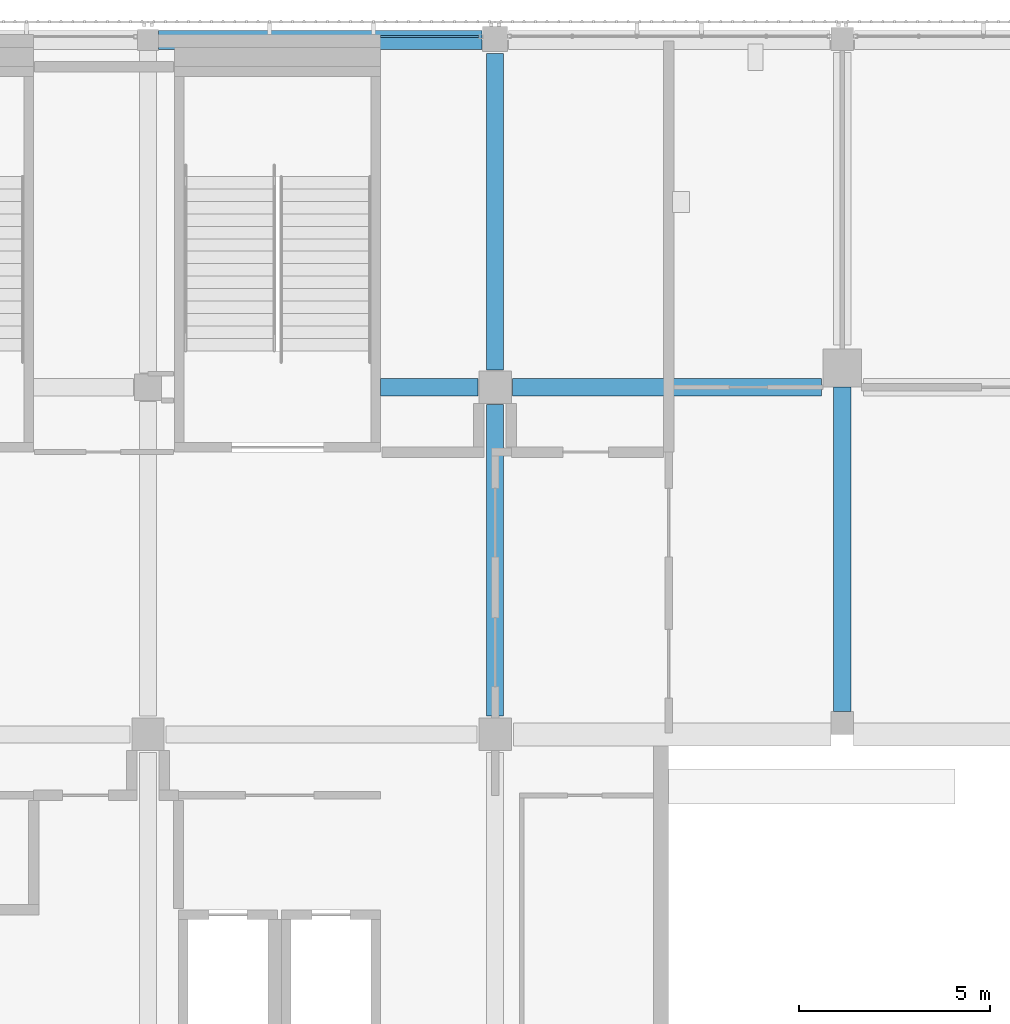
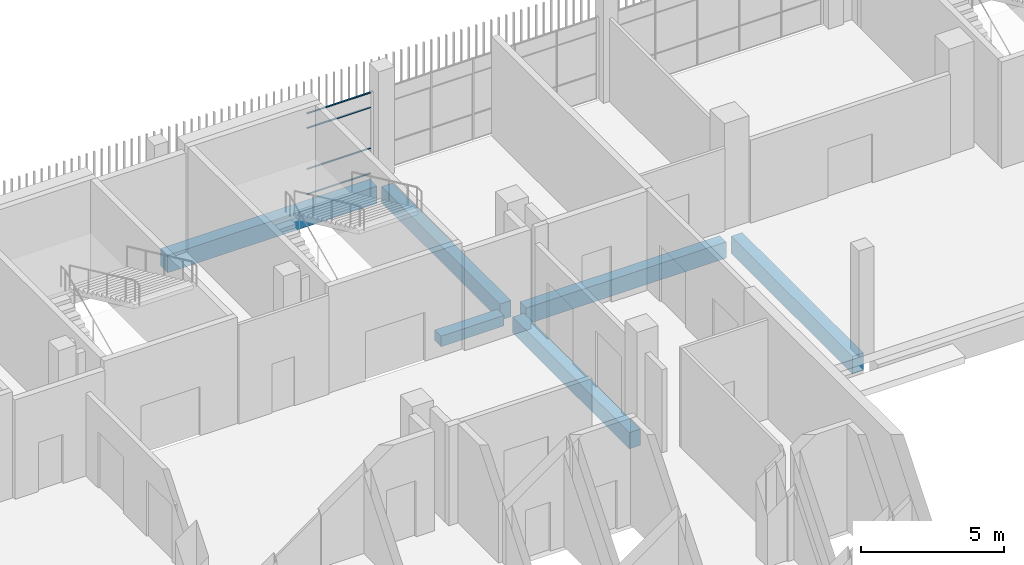
# One storey, part 29 of 126: 6 beams, 4 members, 1 element without a shape of its own.
"""IFC4 building model written with IfcOpenShell, lengths in metres."""

from ifc_helpers import new_model, si_unit, direction, frame, origin, origin_2d, place, context, subcontext, project, spatial, rectangle, hollow_rectangle, extrude, material, layer, layer_set, material_profile, profile_set, type_object, element, aggregate, save


model = new_model("IFC4")

# Units and contexts
model_context = context("Model", 3, precision=1e-05, world=origin(), true_north=direction((0.0, 1.0)))
body_context = subcontext(model_context, "Body", "Model", "MODEL_VIEW")
ifc_project = project(units=[si_unit("LENGTHUNIT", "METRE"), si_unit("AREAUNIT", "SQUARE_METRE"), si_unit("VOLUMEUNIT", "CUBIC_METRE"), si_unit("PLANEANGLEUNIT", "RADIAN"), si_unit("MASSUNIT", "GRAM", prefix="KILO")], contexts=[model_context])

# Site, building, storey
site_placement = place(None, origin())
site = spatial("IfcSite", under=ifc_project, at=site_placement, CompositionType="ELEMENT")
building_placement = place(site_placement, origin())
building = spatial("IfcBuilding", under=site, at=building_placement, Name="Shirokan Park Arena", CompositionType="ELEMENT")
storey_placement = place(building_placement, frame((0.0, 0.0, 6.3701171875)))
storey = spatial("IfcBuildingStorey", under=building, at=storey_placement, Name="L01", CompositionType="ELEMENT", Elevation=6.3701171875)

# Beams
ifc_material_1 = material(Name="Concrete C35", Category="concrete")
ifc_material_profile_1 = material_profile(ifc_material_1, rectangle(XDim=0.449951171875, YDim=0.699951171875, at=origin_2d()), Name="450x700")
ifc_profile_set_1 = profile_set([ifc_material_profile_1], Name="Concrete C35")
beam_type_1 = type_object("IfcBeamType", Name="RC girder 450x700", PredefinedType="BEAM", material=ifc_profile_set_1)
beam_1_placement = place(storey_placement, frame((36.85009765625, 100.10009765625, -0.7001953125), z_axis=(1.0, 0.0, 0.0), x_axis=(0.0, 1.0, 0.0)))
element("IfcBeam", 1, at=beam_1_placement, inside=storey, type_object=beam_type_1, Name="Girder 5M-6M L01", PredefinedType="BEAM", context=body_context, shape_type="SweptSolid", body=[
    extrude(rectangle(XDim=0.449951171875, YDim=0.699951171875, at=origin_2d()), origin(), (0.0, 0.0, 1.0), 8.099853515625),
])
beam_2_placement = place(storey_placement, frame((36.39990234375, 91.47509765625, -0.7001953125), z_axis=(0.0, 1.0, 0.0), x_axis=(-1.0, 0.0, 0.0)))
element("IfcBeam", 2, at=beam_2_placement, inside=storey, type_object=beam_type_1, Name="Girder 5L-5M L01", PredefinedType="BEAM", context=body_context, shape_type="SweptSolid", body=[
    extrude(rectangle(XDim=0.449951171875, YDim=0.699951171875, at=origin_2d()), origin(), (0.0, 0.0, 1.0), 8.1748046875),
])
beam_3_placement = place(storey_placement, frame((36.39990234375, 100.550048828125, -0.7001953125), z_axis=(0.0, 1.0, 0.0), x_axis=(-1.0, 0.0, 0.0)))
element("IfcBeam", 3, at=beam_3_placement, inside=storey, type_object=beam_type_1, Name="Girder 5M-5N L01", PredefinedType="BEAM", context=body_context, shape_type="SweptSolid", body=[
    extrude(rectangle(XDim=0.449951171875, YDim=0.699951171875, at=origin_2d()), origin(), (0.0, 0.0, 1.0), 8.2998046875),
])
ifc_material_profile_2 = material_profile(ifc_material_1, rectangle(XDim=0.449951171875, YDim=0.75, at=origin_2d()), Name="450x750")
ifc_profile_set_2 = profile_set([ifc_material_profile_2], Name="Concrete C35")
beam_type_2 = type_object("IfcBeamType", Name="RC girder 450x750", PredefinedType="BEAM", material=ifc_profile_set_2)
beam_4_placement = place(storey_placement, frame((45.5, 91.60009765625, -0.72509765625), z_axis=(0.0, 1.0, 0.0), x_axis=(-1.0, 0.0, 0.0)))
element("IfcBeam", 4, at=beam_4_placement, inside=storey, type_object=beam_type_2, Name="Girder 6L-6M L01", PredefinedType="BEAM", context=body_context, shape_type="SweptSolid", body=[
    extrude(rectangle(XDim=0.449951171875, YDim=0.75, at=origin_2d()), origin(), (0.0, 0.0, 1.0), 8.499755859375),
])
ifc_material_profile_3 = material_profile(ifc_material_1, rectangle(XDim=0.5, YDim=0.75, at=origin_2d()), Name="500x750")
ifc_profile_set_3 = profile_set([ifc_material_profile_3], Name="Concrete C35")
beam_type_3 = type_object("IfcBeamType", Name="RC girder 500x750", PredefinedType="BEAM", material=ifc_profile_set_3)
beam_5_placement = place(storey_placement, frame((27.5751953125, 109.199951171875, -0.72509765625), z_axis=(1.0, 0.0, 0.0), x_axis=(0.0, 1.0, 0.0)))
element("IfcBeam", 5, at=beam_5_placement, inside=storey, type_object=beam_type_3, Name="Girder 4N-5N L01", PredefinedType="BEAM", context=body_context, shape_type="SweptSolid", body=[
    extrude(rectangle(XDim=0.5, YDim=0.75, at=origin_2d()), origin(), (0.0, 0.0, 1.0), 8.474609375),
])
ifc_material_profile_4 = material_profile(ifc_material_1, rectangle(XDim=0.449951171875, YDim=0.449951171875, at=origin_2d()), Name="450x450")
ifc_profile_set_4 = profile_set([ifc_material_profile_4], Name="Concrete C35")
beam_type_4 = type_object("IfcBeamType", Name="RC trimmer 450x450", PredefinedType="BEAM", material=ifc_profile_set_4)
beam_6_placement = place(storey_placement, frame((33.39990234375, 100.10009765625, -0.5751953125), z_axis=(1.0, 0.0, 0.0), x_axis=(0.0, 1.0, 0.0)))
element("IfcBeam", 6, at=beam_6_placement, inside=storey, type_object=beam_type_4, Name="Girder 4M-5M L01", PredefinedType="BEAM", context=body_context, shape_type="SweptSolid", body=[
    extrude(rectangle(XDim=0.449951171875, YDim=0.449951171875, at=origin_2d()), origin(), (0.0, 0.0, 1.0), 2.550048828125),
])

# Curtain wall, members
ifc_material_2 = material(Name="Steel and glass curtain wall", Category="steel")
ifc_layer = layer(ifc_material_2, 0.1201171875)
ifc_layer_set = layer_set([ifc_layer], Name="Steel and glass curtain wall 120 mm")
curtain_wall_type = type_object("IfcCurtainWallType", Name="Curtain wall corner block side bay 120", PredefinedType="NOTDEFINED", material=ifc_layer_set)
curtain_wall_placement = place(storey_placement, origin())
curtain_wall = element("IfcCurtainWall", 7, at=curtain_wall_placement, inside=storey, type_object=curtain_wall_type, Name="Curtain wall north bay 13 L01", PredefinedType="NOTDEFINED")
ifc_material_3 = material(Name="Steel S355", Category="steel")
ifc_material_profile_5 = material_profile(ifc_material_3, hollow_rectangle(XDim=0.06005859375, YDim=0.0400390625, WallThickness=0.00390625, at=origin_2d()), Name="RHS 60x40x4")
ifc_profile_set_5 = profile_set([ifc_material_profile_5], Name="Steel S355")
member_type = type_object("IfcMemberType", Name="Transom RHS 60x40x4", PredefinedType="MULLION", material=ifc_profile_set_5)
member_1_placement = place(storey_placement, frame((35.97509765625, 109.2900390625, 0.019775390625), z_axis=(-1.0, 0.0, 0.0), x_axis=(0.0, -1.0, 0.0)))
member_1 = element("IfcMember", 8, at=member_1_placement, type_object=member_type, Name="CW3 transom 1.1", PredefinedType="MULLION", context=body_context, shape_type="SweptSolid", body=[
    extrude(hollow_rectangle(XDim=0.06005859375, YDim=0.0400390625, WallThickness=0.00390625, at=origin_2d()), origin(), (0.0, 0.0, 1.0), 2.5751953125),
])
member_2_placement = place(storey_placement, frame((35.97509765625, 109.2900390625, 1.099853515625), z_axis=(-1.0, 0.0, 0.0), x_axis=(0.0, -1.0, 0.0)))
member_2 = element("IfcMember", 9, at=member_2_placement, type_object=member_type, Name="CW3 transom 1.2", PredefinedType="MULLION", context=body_context, shape_type="SweptSolid", body=[
    extrude(hollow_rectangle(XDim=0.06005859375, YDim=0.0400390625, WallThickness=0.00390625, at=origin_2d()), origin(), (0.0, 0.0, 1.0), 2.5751953125),
])
member_3_placement = place(storey_placement, frame((35.97509765625, 109.2900390625, 2.849853515625), z_axis=(-1.0, 0.0, 0.0), x_axis=(0.0, -1.0, 0.0)))
member_3 = element("IfcMember", 10, at=member_3_placement, type_object=member_type, Name="CW3 transom 1.3", PredefinedType="MULLION", context=body_context, shape_type="SweptSolid", body=[
    extrude(hollow_rectangle(XDim=0.06005859375, YDim=0.0400390625, WallThickness=0.00390625, at=origin_2d()), origin(), (0.0, 0.0, 1.0), 2.5751953125),
])
member_4_placement = place(storey_placement, frame((35.97509765625, 109.2900390625, 3.47998046875), z_axis=(-1.0, 0.0, 0.0), x_axis=(0.0, -1.0, 0.0)))
member_4 = element("IfcMember", 11, at=member_4_placement, type_object=member_type, Name="CW3 transom 1.4", PredefinedType="MULLION", context=body_context, shape_type="SweptSolid", body=[
    extrude(hollow_rectangle(XDim=0.06005859375, YDim=0.0400390625, WallThickness=0.00390625, at=origin_2d()), origin(), (0.0, 0.0, 1.0), 2.5751953125),
])
aggregate(curtain_wall, [member_1, member_2, member_3, member_4])

save(model, "model.ifc")
